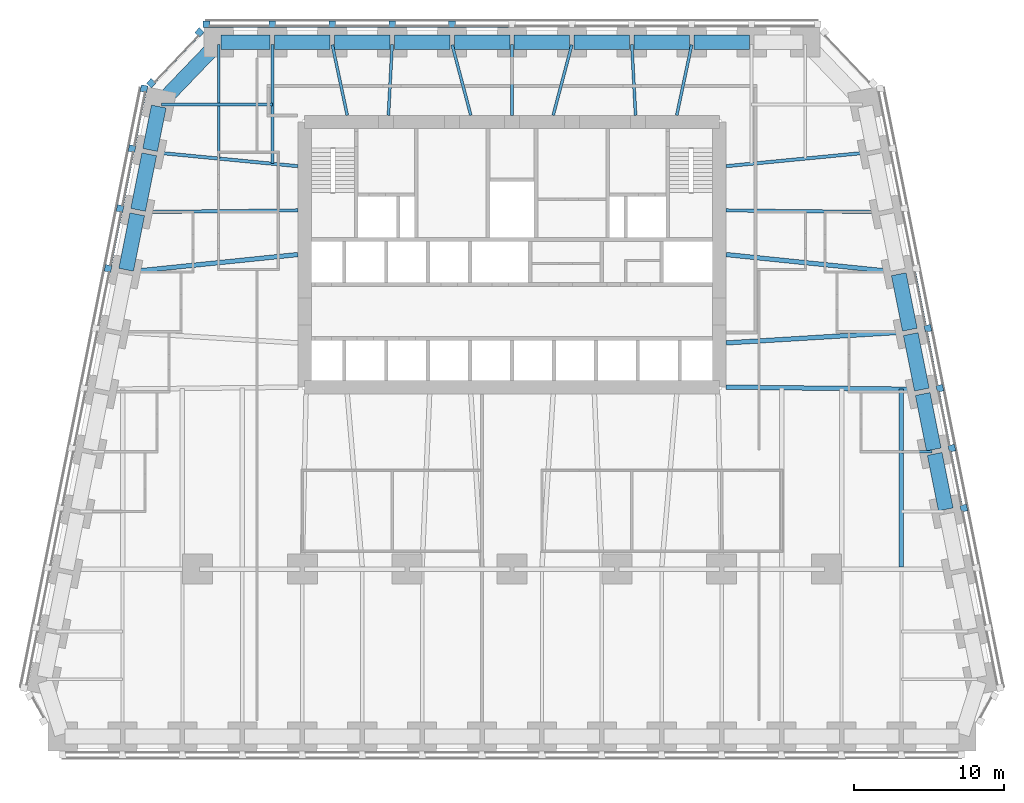
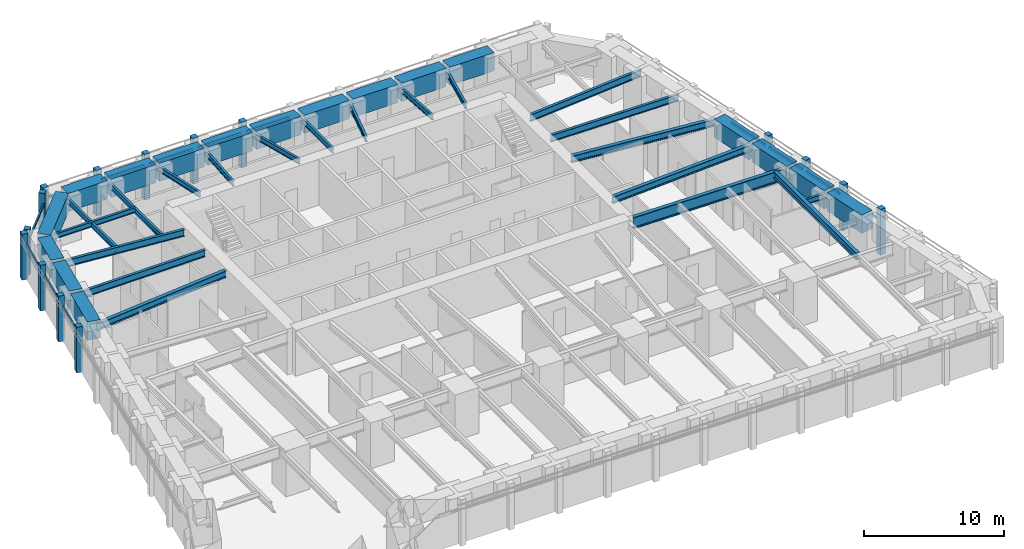
# One storey, part 3 of 10: 37 beams, 28 members, 4 elements without a shape of their own.
"""IFC4 building model written with IfcOpenShell, lengths in metres."""

import ifcopenshell
import ifcopenshell.guid

model = None  # the IFC model being written
_history = None  # IfcOwnerHistory: only IFC2X3 demands one
_inside = {}  # id of a spatial element -> (the spatial element, [elements in it])
_under = {}  # id of a project, library or spatial element -> (it, [spatial elements below it])
_declared = {}  # id of a project -> (the project, [libraries it declares])
_typed = {}  # id of a type object -> (the type object, [elements of that type])
_made_of = {}  # id of a material, layer set ... -> (it, [elements and type objects made of it])


def new_model(schema):
    """Start an empty IFC model of exactly this schema.

    Asked for "IFC4X3", IfcOpenShell would pick the latest addendum, in which some entities
    have other attributes; the version numbers below select the first issue.
    IFC2X3 requires an IfcOwnerHistory on every rooted entity: one is made here for all.
    """
    global model, _history
    if schema == "IFC4X3":
        model = ifcopenshell.file(schema_version=(4, 3, 0, 0))
    else:
        model = ifcopenshell.file(schema=schema)
    _inside.clear()
    _under.clear()
    _declared.clear()
    _typed.clear()
    _made_of.clear()
    _history = None
    if model.schema == "IFC2X3":
        org = make("IfcOrganization", Name="unknown")
        user = make(
            "IfcPersonAndOrganization",
            ThePerson=make("IfcPerson", FamilyName="unknown"),
            TheOrganization=org,
        )
        app = make(
            "IfcApplication",
            ApplicationDeveloper=org,
            Version="unknown",
            ApplicationFullName="unknown",
            ApplicationIdentifier="unknown",
        )
        _history = make(
            "IfcOwnerHistory",
            OwningUser=user,
            OwningApplication=app,
            ChangeAction="ADDED",
            CreationDate=0,
        )
    return model


def make(cls, **values):
    """One entity of the class cls with the attributes given. An attribute that is None is left unset."""
    return model.create_entity(
        cls, **{name: value for name, value in values.items() if value is not None}
    )


def rooted(cls, **values):
    """An entity with a GlobalId (a new one), such as an element, a storey or a relation."""
    return make(cls, GlobalId=ifcopenshell.guid.new(), OwnerHistory=_history, **values)


def si_unit(unit_type, name, prefix=None):
    """IfcSIUnit, for example si_unit("LENGTHUNIT", "METRE", prefix="MILLI")."""
    return make("IfcSIUnit", UnitType=unit_type, Prefix=prefix, Name=name)


def assignment(units):
    """IfcUnitAssignment: the units of a project."""
    return None if units is None else make("IfcUnitAssignment", Units=units)


def point(xyz):
    """IfcCartesianPoint."""
    return None if xyz is None else make("IfcCartesianPoint", Coordinates=xyz)


def direction(xyz):
    """IfcDirection."""
    return None if xyz is None else make("IfcDirection", DirectionRatios=xyz)


def frame(location, z_axis=None, x_axis=None):
    """IfcAxis2Placement3D, a coordinate frame: its origin and axes. An axis left out is left unset."""
    return make(
        "IfcAxis2Placement3D",
        Location=point(location),
        Axis=direction(z_axis),
        RefDirection=direction(x_axis),
    )


def frame_2d(location, x_axis=None):
    """IfcAxis2Placement2D, a coordinate frame in the plane: its origin and x axis."""
    return make(
        "IfcAxis2Placement2D", Location=point(location), RefDirection=direction(x_axis)
    )


def origin():
    """The frame at (0, 0, 0) with its axes left unset."""
    return frame((0.0, 0.0, 0.0))


def origin_2d():
    """The frame at (0, 0) in the plane with its x axis left unset."""
    return frame_2d((0.0, 0.0))


def place(relative_to, where):
    """IfcLocalPlacement: puts the frame where relative to a parent placement (None: the world)."""
    return make(
        "IfcLocalPlacement", PlacementRelTo=relative_to, RelativePlacement=where
    )


def context(
    kind, dimensions, precision=None, world=None, true_north=None, identifier=None
):
    """IfcGeometricRepresentationContext, for example the 3D "Model" context."""
    return make(
        "IfcGeometricRepresentationContext",
        ContextIdentifier=identifier,
        ContextType=kind,
        CoordinateSpaceDimension=dimensions,
        Precision=precision,
        WorldCoordinateSystem=world,
        TrueNorth=true_north,
    )


def subcontext(parent, identifier, kind, view, scale=None):
    """IfcGeometricRepresentationSubContext, for example "Body" below "Model"."""
    return make(
        "IfcGeometricRepresentationSubContext",
        ContextIdentifier=identifier,
        ContextType=kind,
        ParentContext=parent,
        TargetScale=scale,
        TargetView=view,
    )


def project(units=None, contexts=None):
    """IfcProject with its units and contexts."""
    return rooted(
        "IfcProject",
        Name="project",
        RepresentationContexts=contexts,
        UnitsInContext=assignment(units),
    )


def spatial(cls, under=None, at=None, **own):
    """A site, building, storey or space (cls), placed at a placement, below another one or the project."""
    s = rooted(cls, ObjectPlacement=at, **own)
    if under is not None:
        _under.setdefault(under.id(), (under, []))[1].append(s)
    return s


def profile(cls, at=None, kind="AREA", **sizes):
    """A parametric profile (cls). Its sizes go by their IFC names, for example OverallWidth=200.0."""
    return make(cls, ProfileType=kind, Position=at, **sizes)


def rectangle(**sizes):
    """IfcRectangleProfileDef."""
    return profile("IfcRectangleProfileDef", **sizes)


def i_section(**sizes):
    """IfcIShapeProfileDef."""
    return profile("IfcIShapeProfileDef", **sizes)


def extrude(swept, where, along, depth):
    """IfcExtrudedAreaSolid: the profile swept, set in the frame where, extruded along a direction by depth."""
    return make(
        "IfcExtrudedAreaSolid",
        SweptArea=swept,
        Position=where,
        ExtrudedDirection=direction(along),
        Depth=depth,
    )


def shape(context_of_items, identifier, shape_type, items):
    """IfcShapeRepresentation: the items that make up one representation, for example the "Body"."""
    return make(
        "IfcShapeRepresentation",
        ContextOfItems=context_of_items,
        RepresentationIdentifier=identifier,
        RepresentationType=shape_type,
        Items=items,
    )


def material(Name=None, Category=None):
    """IfcMaterial."""
    return make("IfcMaterial", Name=Name, Category=Category)


def material_profile(
    of_material, cross_section, Name=None, Category=None, Priority=None
):
    """IfcMaterialProfile: a cross section and its material."""
    return make(
        "IfcMaterialProfile",
        Name=Name,
        Material=of_material,
        Profile=cross_section,
        Priority=Priority,
        Category=Category,
    )


def profile_set(profiles, Name=None, composite=None):
    """IfcMaterialProfileSet."""
    return make(
        "IfcMaterialProfileSet",
        Name=Name,
        MaterialProfiles=profiles,
        CompositeProfile=composite,
    )


def made_of(thing, what):
    """Note that an element or type object is made of a material, layer set ...; save() writes the relation."""
    if what is not None:
        _made_of.setdefault(what.id(), (what, []))[1].append(thing)
    return thing


def type_object(cls, material=None, **own):
    """A type object (cls), such as IfcWallType, which elements share."""
    return made_of(rooted(cls, **own), material)


def element(
    cls,
    number,
    at=None,
    inside=None,
    cuts=None,
    type_object=None,
    material=None,
    context=None,
    identifier="Body",
    shape_type=None,
    held_by="IfcProductDefinitionShape",
    body=None,
    shapes=None,
    **own,
):
    """One element of the class cls, such as IfcWall. Its Tag is "e" and its number.

    at: its placement. inside: the storey or other place that contains it. cuts: it is an
    opening in that element (IfcRelVoidsElement). A single representation is given by context,
    identifier, shape_type and body (its items); several are given by shapes. held_by: the class
    of the entity that holds the representations. save() writes the other relations.
    """
    e = rooted(cls, Tag="e%d" % number, ObjectPlacement=at, **own)
    if body is not None:
        shapes = [shape(context, identifier, shape_type, body)]
    if shapes is not None:
        e.Representation = make(held_by, Representations=shapes)
    if inside is not None:
        _inside.setdefault(inside.id(), (inside, []))[1].append(e)
    if cuts is not None:
        rooted(
            "IfcRelVoidsElement", RelatingBuildingElement=cuts, RelatedOpeningElement=e
        )
    if type_object is not None:
        _typed.setdefault(type_object.id(), (type_object, []))[1].append(e)
    return made_of(e, material)


def aggregate(whole, parts):
    """IfcRelAggregates: a whole, such as a stair, and the parts it consists of."""
    return rooted("IfcRelAggregates", RelatingObject=whole, RelatedObjects=parts)


def save(model, path):
    """Write the relations noted so far, then the file.

    IfcRelAggregates (storeys below a building ...), IfcRelContainedInSpatialStructure (elements
    in a storey), IfcRelDefinesByType, IfcRelAssociatesMaterial and IfcRelDeclares: one each for
    every whole, place, type object, material and project.
    """
    for whole, parts in _under.values():
        aggregate(whole, parts)
    for where, things in _inside.values():
        rooted(
            "IfcRelContainedInSpatialStructure",
            RelatedElements=things,
            RelatingStructure=where,
        )
    for kind, things in _typed.values():
        rooted("IfcRelDefinesByType", RelatedObjects=things, RelatingType=kind)
    for what, things in _made_of.values():
        rooted("IfcRelAssociatesMaterial", RelatedObjects=things, RelatingMaterial=what)
    for by, libraries in _declared.values():
        rooted("IfcRelDeclares", RelatingContext=by, RelatedDefinitions=libraries)
    model.write(path)


model = new_model("IFC4")

# Units and contexts
model_context = context("Model", 3, precision=1e-05, world=origin(), true_north=direction((0.0, 1.0)))
body_context = subcontext(model_context, "Body", "Model", "MODEL_VIEW")
ifc_project = project(units=[si_unit("LENGTHUNIT", "METRE"), si_unit("AREAUNIT", "SQUARE_METRE"), si_unit("VOLUMEUNIT", "CUBIC_METRE"), si_unit("PLANEANGLEUNIT", "RADIAN"), si_unit("MASSUNIT", "GRAM", prefix="KILO")], contexts=[model_context])

# Site, building, storey
site_placement = place(None, origin())
site = spatial("IfcSite", under=ifc_project, at=site_placement, CompositionType="ELEMENT")
building_placement = place(site_placement, origin())
building = spatial("IfcBuilding", under=site, at=building_placement, Name="Isbrekke Arena Tower", CompositionType="ELEMENT")
storey_placement = place(building_placement, frame((0.0, 0.0, 60.0)))
storey = spatial("IfcBuildingStorey", under=building, at=storey_placement, Name="L12", CompositionType="ELEMENT", Elevation=60.0)

# Beams
ifc_material_1 = material(Name="Steel S355", Category="steel")
ifc_material_profile_1 = material_profile(ifc_material_1, i_section(OverallWidth=0.219970703125, OverallDepth=0.60009765625, WebThickness=0.011962890625, FlangeThickness=0.01904296875, FilletRadius=0.02392578125, at=origin_2d()), Name="IPE 600")
ifc_profile_set_1 = profile_set([ifc_material_profile_1], Name="Steel S355")
beam_type_1 = type_object("IfcBeamType", Name="B1 IPE 600", PredefinedType="BEAM", material=ifc_profile_set_1)
beam_1_placement = place(storey_placement, frame((24.83984375, 17.838134765625, 3.550048828125), z_axis=(-0.999943729589, 0.010608376645, 0.0), x_axis=(-0.010608376645, -0.999943729589, 0.0)))
element("IfcBeam", 1, at=beam_1_placement, inside=storey, type_object=beam_type_1, Name="B1 beam E-E09 L12", PredefinedType="BEAM", context=body_context, shape_type="SweptSolid", body=[
    extrude(i_section(OverallWidth=0.219970703125, OverallDepth=0.60009765625, WebThickness=0.011962890625, FlangeThickness=0.01904296875, FilletRadius=0.02392578125, at=origin_2d()), origin(), (0.0, 0.0, 1.0), 10.540283203125),
])
for number, where, z_axis, x_axis, name in (
    (2, (24.030517578125, 21.837158203125, 3.550048828125), (-0.995393091527, -0.095878012805, 0.0), (0.095878012805, -0.995393091527, 0.0), "B1 beam E-E10 L12"),
    (3, (-24.030517578125, 21.837158203125, 3.550048828125), (0.995393091527, -0.095878012805, 0.0), (0.095878012805, 0.995393091527, 0.0), "B1 beam E-W02 L12"),
):
    element("IfcBeam", number, at=place(storey_placement, frame(where, z_axis=z_axis, x_axis=x_axis)), inside=storey, type_object=beam_type_1, Name=name, PredefinedType="BEAM", context=body_context, shape_type="SweptSolid", body=[
        extrude(i_section(OverallWidth=0.219970703125, OverallDepth=0.60009765625, WebThickness=0.011962890625, FlangeThickness=0.01904296875, FilletRadius=0.02392578125, at=origin_2d()), origin(), (0.0, 0.0, 1.0), 9.775390625),
    ])
beam_2_placement = place(storey_placement, frame((-24.83984375, 17.838134765625, 3.550048828125), z_axis=(0.999943729589, 0.010608376645, 0.0), x_axis=(-0.010608376645, 0.999943729589, 0.0)))
element("IfcBeam", 4, at=beam_2_placement, inside=storey, type_object=beam_type_1, Name="B1 beam E-W03 L12", PredefinedType="BEAM", context=body_context, shape_type="SweptSolid", body=[
    extrude(i_section(OverallWidth=0.219970703125, OverallDepth=0.60009765625, WebThickness=0.011962890625, FlangeThickness=0.01904296875, FilletRadius=0.02392578125, at=origin_2d()), origin(), (0.0, 0.0, 1.0), 10.540283203125),
])
ifc_material_2 = material(Name="Steel S355", Category="steel")
ifc_material_profile_2 = material_profile(ifc_material_2, i_section(OverallWidth=0.18994140625, OverallDepth=0.449951171875, WebThickness=0.009521484375, FlangeThickness=0.0146484375, FilletRadius=0.02099609375, at=origin_2d()), Name="IPE 450")
ifc_profile_set_2 = profile_set([ifc_material_profile_2], Name="Steel S355")
beam_type_2 = type_object("IfcBeamType", Name="B2 IPE 450", PredefinedType="BEAM", material=ifc_profile_set_2)
beam_3_placement = place(storey_placement, frame((28.041015625, 1.838134765625, 3.625), z_axis=(-1.0, 0.0, 0.0), x_axis=(0.0, -1.0, 0.0)))
element("IfcBeam", 5, at=beam_3_placement, inside=storey, type_object=beam_type_2, Name="B2 beam E-E05 L12", PredefinedType="BEAM", context=body_context, shape_type="SweptSolid", body=[
    extrude(i_section(OverallWidth=0.18994140625, OverallDepth=0.449951171875, WebThickness=0.009521484375, FlangeThickness=0.0146484375, FilletRadius=0.02099609375, at=origin_2d()), origin(), (0.0, 0.0, 1.0), 2.041015625),
])
beam_4_placement = place(storey_placement, frame((-23.40283203125, 25.029296875, 3.625), z_axis=(1.0, 0.0, 0.0), x_axis=(0.0, 1.0, 0.0)))
element("IfcBeam", 6, at=beam_4_placement, inside=storey, type_object=beam_type_2, Name="B2 beam E-W01 L12", PredefinedType="BEAM", context=body_context, shape_type="SweptSolid", body=[
    extrude(i_section(OverallWidth=0.18994140625, OverallDepth=0.449951171875, WebThickness=0.009521484375, FlangeThickness=0.0146484375, FilletRadius=0.02099609375, at=origin_2d()), origin(), (0.0, 0.0, 1.0), 7.40283203125),
])
ifc_material_3 = material(Name="Steel S355", Category="steel")
ifc_material_profile_3 = material_profile(ifc_material_3, i_section(OverallWidth=0.18994140625, OverallDepth=0.449951171875, WebThickness=0.009521484375, FlangeThickness=0.0146484375, FilletRadius=0.02099609375, at=origin_2d()), Name="IPE 450")
ifc_profile_set_3 = profile_set([ifc_material_profile_3], Name="Steel S355")
beam_type_3 = type_object("IfcBeamType", Name="B3 IPE 450", PredefinedType="BEAM", material=ifc_profile_set_3)
beam_5_placement = place(storey_placement, frame((-16.0, 29.02490234375, 3.625), z_axis=(0.0, -1.0, 0.0), x_axis=(1.0, 0.0, 0.0)))
element("IfcBeam", 7, at=beam_5_placement, inside=storey, type_object=beam_type_3, Name="B3 beam N-N10 L12", PredefinedType="BEAM", context=body_context, shape_type="SweptSolid", body=[
    extrude(i_section(OverallWidth=0.18994140625, OverallDepth=0.449951171875, WebThickness=0.009521484375, FlangeThickness=0.0146484375, FilletRadius=0.02099609375, at=origin_2d()), origin(), (0.0, 0.0, 1.0), 7.961181640625),
])
beam_6_placement = place(storey_placement, frame((-19.574951171875, 29.02490234375, 3.625), z_axis=(0.0, -1.0, 0.0), x_axis=(1.0, 0.0, 0.0)))
element("IfcBeam", 8, at=beam_6_placement, inside=storey, type_object=beam_type_3, Name="B3 beam N-N11 L12", PredefinedType="BEAM", context=body_context, shape_type="SweptSolid", body=[
    extrude(i_section(OverallWidth=0.18994140625, OverallDepth=0.449951171875, WebThickness=0.009521484375, FlangeThickness=0.0146484375, FilletRadius=0.02099609375, at=origin_2d()), origin(), (0.0, 0.0, 1.0), 7.616943359375),
])
beam_7_placement = place(storey_placement, frame((11.995849609375, 29.005859375, 3.625), z_axis=(-0.207036135686, -0.978333296234, 0.0), x_axis=(0.978333296234, -0.207036135686, 0.0)))
element("IfcBeam", 9, at=beam_7_placement, inside=storey, type_object=beam_type_3, Name="B3 beam N-N03 L12", PredefinedType="BEAM", context=body_context, shape_type="SweptSolid", body=[
    extrude(i_section(OverallWidth=0.18994140625, OverallDepth=0.449951171875, WebThickness=0.009521484375, FlangeThickness=0.0146484375, FilletRadius=0.02099609375, at=origin_2d()), origin(), (0.0, 0.0, 1.0), 4.81005859375),
])
beam_8_placement = place(storey_placement, frame((8.000244140625, 29.02001953125, 3.625), z_axis=(0.05284078094, -0.998602950061, 0.0), x_axis=(0.998602950061, 0.05284078094, 0.0)))
element("IfcBeam", 10, at=beam_8_placement, inside=storey, type_object=beam_type_3, Name="B3 beam N-N04 L12", PredefinedType="BEAM", context=body_context, shape_type="SweptSolid", body=[
    extrude(i_section(OverallWidth=0.18994140625, OverallDepth=0.449951171875, WebThickness=0.009521484375, FlangeThickness=0.0146484375, FilletRadius=0.02099609375, at=origin_2d()), origin(), (0.0, 0.0, 1.0), 4.7265625),
])
beam_9_placement = place(storey_placement, frame((3.993896484375, 29.00146484375, 3.625), z_axis=(-0.255778031922, -0.966735536942, 0.0), x_axis=(0.966735536942, -0.255778031922, 0.0)))
element("IfcBeam", 11, at=beam_9_placement, inside=storey, type_object=beam_type_3, Name="B3 beam N-N05 L12", PredefinedType="BEAM", context=body_context, shape_type="SweptSolid", body=[
    extrude(i_section(OverallWidth=0.18994140625, OverallDepth=0.449951171875, WebThickness=0.009521484375, FlangeThickness=0.0146484375, FilletRadius=0.02099609375, at=origin_2d()), origin(), (0.0, 0.0, 1.0), 4.86328125),
])
beam_10_placement = place(storey_placement, frame((0.0, 29.02490234375, 3.625), z_axis=(0.0, -1.0, 0.0), x_axis=(1.0, 0.0, 0.0)))
element("IfcBeam", 12, at=beam_10_placement, inside=storey, type_object=beam_type_3, Name="B3 beam N-N06 L12", PredefinedType="BEAM", context=body_context, shape_type="SweptSolid", body=[
    extrude(i_section(OverallWidth=0.18994140625, OverallDepth=0.449951171875, WebThickness=0.009521484375, FlangeThickness=0.0146484375, FilletRadius=0.02099609375, at=origin_2d()), origin(), (0.0, 0.0, 1.0), 4.724853515625),
])
beam_11_placement = place(storey_placement, frame((-3.993896484375, 29.00146484375, 3.625), z_axis=(0.255778031922, -0.966735536942, 0.0), x_axis=(0.966735536942, 0.255778031922, 0.0)))
element("IfcBeam", 13, at=beam_11_placement, inside=storey, type_object=beam_type_3, Name="B3 beam N-N07 L12", PredefinedType="BEAM", context=body_context, shape_type="SweptSolid", body=[
    extrude(i_section(OverallWidth=0.18994140625, OverallDepth=0.449951171875, WebThickness=0.009521484375, FlangeThickness=0.0146484375, FilletRadius=0.02099609375, at=origin_2d()), origin(), (0.0, 0.0, 1.0), 4.86328125),
])
beam_12_placement = place(storey_placement, frame((-8.000244140625, 29.02001953125, 3.625), z_axis=(-0.05284078094, -0.998602950061, 0.0), x_axis=(0.998602950061, -0.05284078094, 0.0)))
element("IfcBeam", 14, at=beam_12_placement, inside=storey, type_object=beam_type_3, Name="B3 beam N-N08 L12", PredefinedType="BEAM", context=body_context, shape_type="SweptSolid", body=[
    extrude(i_section(OverallWidth=0.18994140625, OverallDepth=0.449951171875, WebThickness=0.009521484375, FlangeThickness=0.0146484375, FilletRadius=0.02099609375, at=origin_2d()), origin(), (0.0, 0.0, 1.0), 4.7265625),
])
beam_13_placement = place(storey_placement, frame((-11.995849609375, 29.005859375, 3.625), z_axis=(0.207036135686, -0.978333296234, 0.0), x_axis=(0.978333296234, 0.207036135686, 0.0)))
element("IfcBeam", 15, at=beam_13_placement, inside=storey, type_object=beam_type_3, Name="B3 beam N-N09 L12", PredefinedType="BEAM", context=body_context, shape_type="SweptSolid", body=[
    extrude(i_section(OverallWidth=0.18994140625, OverallDepth=0.449951171875, WebThickness=0.009521484375, FlangeThickness=0.0146484375, FilletRadius=0.02099609375, at=origin_2d()), origin(), (0.0, 0.0, 1.0), 4.81005859375),
])
ifc_material_4 = material(Name="Steel S355", Category="steel")
ifc_material_profile_4 = material_profile(ifc_material_4, i_section(OverallWidth=0.300048828125, OverallDepth=0.60009765625, WebThickness=0.015380859375, FlangeThickness=0.030029296875, FilletRadius=0.027099609375, at=origin_2d()), Name="HEB 600")
ifc_profile_set_4 = profile_set([ifc_material_profile_4], Name="Steel S355")
beam_type_4 = type_object("IfcBeamType", Name="B7 HEB 600", PredefinedType="BEAM", material=ifc_profile_set_4)
beam_14_placement = place(storey_placement, frame((26.0, -5.84912109375, 3.550048828125), z_axis=(0.0, 1.0, 0.0), x_axis=(-1.0, 0.0, 0.0)))
element("IfcBeam", 16, at=beam_14_placement, inside=storey, type_object=beam_type_4, Name="B7 beam C-M14 L12", PredefinedType="BEAM", context=body_context, shape_type="SweptSolid", body=[
    extrude(i_section(OverallWidth=0.300048828125, OverallDepth=0.60009765625, WebThickness=0.015380859375, FlangeThickness=0.030029296875, FilletRadius=0.027099609375, at=origin_2d()), origin(), (0.0, 0.0, 1.0), 11.864990234375),
])
beam_15_placement = place(storey_placement, frame((26.431884765625, 9.837646484375, 3.550048828125), z_axis=(-0.998157121592, -0.060682457223, 0.0), x_axis=(0.060682457223, -0.998157121592, 0.0)))
element("IfcBeam", 17, at=beam_15_placement, inside=storey, type_object=beam_type_4, Name="B7 beam E-E07 L12", PredefinedType="BEAM", context=body_context, shape_type="SweptSolid", body=[
    extrude(i_section(OverallWidth=0.300048828125, OverallDepth=0.60009765625, WebThickness=0.015380859375, FlangeThickness=0.030029296875, FilletRadius=0.027099609375, at=origin_2d()), origin(), (0.0, 0.0, 1.0), 12.154296875),
])
for number, where, z_axis, x_axis, name in (
    (18, (25.625732421875, 13.83984375, 3.550048828125), (-0.994794378016, 0.101902627384, 0.0), (-0.101902627384, -0.994794378016, 0.0), "B7 beam E-E08 L12"),
    (19, (-25.625732421875, 13.83984375, 3.550048828125), (0.994794378016, 0.101902627384, 0.0), (-0.101902627384, 0.994794378016, 0.0), "B7 beam E-W04 L12"),
):
    element("IfcBeam", number, at=place(storey_placement, frame(where, z_axis=z_axis, x_axis=x_axis)), inside=storey, type_object=beam_type_4, Name=name, PredefinedType="BEAM", context=body_context, shape_type="SweptSolid", body=[
        extrude(i_section(OverallWidth=0.300048828125, OverallDepth=0.60009765625, WebThickness=0.015380859375, FlangeThickness=0.030029296875, FilletRadius=0.027099609375, at=origin_2d()), origin(), (0.0, 0.0, 1.0), 11.385009765625),
    ])

# Curtain wall, members
ifc_material_5 = material(Name="Glazed aluminium curtain wall", Category="aluminium")
curtain_wall_type = type_object("IfcCurtainWallType", Name="CWL TOWER CURTAIN WALL LOW ZONE", PredefinedType="USERDEFINED", material=ifc_material_5)
curtain_wall_1_placement = place(storey_placement, origin())
curtain_wall_1 = element("IfcCurtainWall", 20, at=curtain_wall_1_placement, inside=storey, type_object=curtain_wall_type, Name="CWL curtain wall L12-E", ObjectType="TOWER CURTAIN WALL LOW ZONE", PredefinedType="USERDEFINED")
ifc_material_6 = material(Name="Aluminium mullion, pale brick slip cladding", Category="masonry")
ifc_material_profile_5 = material_profile(ifc_material_6, rectangle(XDim=0.449951171875, YDim=0.449951171875, at=origin_2d()), Name="PIER 450X450")
ifc_profile_set_5 = profile_set([ifc_material_profile_5], Name="Aluminium mullion, pale brick slip cladding")
member_type_1 = type_object("IfcMemberType", Name="CWL-M PIER MULLION 450 x 450", PredefinedType="MULLION", material=ifc_profile_set_5)
member_1_placement = place(storey_placement, frame((30.167724609375, -1.926513671875, 0.0), z_axis=(0.0, 0.0, 1.0), x_axis=(-0.196116135138, 0.980580675691, 0.0)))
member_1 = element("IfcMember", 21, at=member_1_placement, type_object=member_type_1, Name="CWL-M mullion 4", PredefinedType="MULLION", context=body_context, shape_type="SweptSolid", body=[
    extrude(rectangle(XDim=0.449951171875, YDim=0.449951171875, at=origin_2d()), origin(), (0.0, 0.0, 1.0), 4.0),
])
member_2_placement = place(storey_placement, frame((29.36767578125, 2.073486328125, 0.0), z_axis=(0.0, 0.0, 1.0), x_axis=(-0.196116135138, 0.980580675691, 0.0)))
member_2 = element("IfcMember", 22, at=member_2_placement, type_object=member_type_1, Name="CWL-M mullion 5", PredefinedType="MULLION", context=body_context, shape_type="SweptSolid", body=[
    extrude(rectangle(XDim=0.449951171875, YDim=0.449951171875, at=origin_2d()), origin(), (0.0, 0.0, 1.0), 4.0),
])
member_3_placement = place(storey_placement, frame((28.567626953125, 6.073486328125, 0.0), z_axis=(0.0, 0.0, 1.0), x_axis=(-0.196116135138, 0.980580675691, 0.0)))
member_3 = element("IfcMember", 23, at=member_3_placement, type_object=member_type_1, Name="CWL-M mullion 6", PredefinedType="MULLION", context=body_context, shape_type="SweptSolid", body=[
    extrude(rectangle(XDim=0.449951171875, YDim=0.449951171875, at=origin_2d()), origin(), (0.0, 0.0, 1.0), 4.0),
])
member_4_placement = place(storey_placement, frame((27.767822265625, 10.073486328125, 0.0), z_axis=(0.0, 0.0, 1.0), x_axis=(-0.196116135138, 0.980580675691, 0.0)))
member_4 = element("IfcMember", 24, at=member_4_placement, type_object=member_type_1, Name="CWL-M mullion 7", PredefinedType="MULLION", context=body_context, shape_type="SweptSolid", body=[
    extrude(rectangle(XDim=0.449951171875, YDim=0.449951171875, at=origin_2d()), origin(), (0.0, 0.0, 1.0), 4.0),
])

curtain_wall_2_placement = place(storey_placement, origin())
curtain_wall_2 = element("IfcCurtainWall", 25, at=curtain_wall_2_placement, inside=storey, type_object=curtain_wall_type, Name="CWL curtain wall L12-N", ObjectType="TOWER CURTAIN WALL LOW ZONE", PredefinedType="USERDEFINED")
member_5_placement = place(storey_placement, frame((-4.0, 30.375, 0.0), z_axis=(0.0, 0.0, 1.0), x_axis=(-1.0, 0.0, 0.0)))
member_5 = element("IfcMember", 26, at=member_5_placement, type_object=member_type_1, Name="CWL-M mullion 7", PredefinedType="MULLION", context=body_context, shape_type="SweptSolid", body=[
    extrude(rectangle(XDim=0.449951171875, YDim=0.449951171875, at=origin_2d()), origin(), (0.0, 0.0, 1.0), 4.0),
])
member_6_placement = place(storey_placement, frame((-8.0, 30.375, 0.0), z_axis=(0.0, 0.0, 1.0), x_axis=(-1.0, 0.0, 0.0)))
member_6 = element("IfcMember", 27, at=member_6_placement, type_object=member_type_1, Name="CWL-M mullion 8", PredefinedType="MULLION", context=body_context, shape_type="SweptSolid", body=[
    extrude(rectangle(XDim=0.449951171875, YDim=0.449951171875, at=origin_2d()), origin(), (0.0, 0.0, 1.0), 4.0),
])
member_7_placement = place(storey_placement, frame((-12.0, 30.375, 0.0), z_axis=(0.0, 0.0, 1.0), x_axis=(-1.0, 0.0, 0.0)))
member_7 = element("IfcMember", 28, at=member_7_placement, type_object=member_type_1, Name="CWL-M mullion 9", PredefinedType="MULLION", context=body_context, shape_type="SweptSolid", body=[
    extrude(rectangle(XDim=0.449951171875, YDim=0.449951171875, at=origin_2d()), origin(), (0.0, 0.0, 1.0), 4.0),
])
member_8_placement = place(storey_placement, frame((-16.0, 30.375, 0.0), z_axis=(0.0, 0.0, 1.0), x_axis=(-1.0, 0.0, 0.0)))
member_8 = element("IfcMember", 29, at=member_8_placement, type_object=member_type_1, Name="CWL-M mullion 10", PredefinedType="MULLION", context=body_context, shape_type="SweptSolid", body=[
    extrude(rectangle(XDim=0.449951171875, YDim=0.449951171875, at=origin_2d()), origin(), (0.0, 0.0, 1.0), 4.0),
])
member_9_placement = place(storey_placement, frame((-20.39990234375, 30.375, 0.0), z_axis=(0.0, 0.0, 1.0), x_axis=(-1.0, 0.0, 0.0)))
member_9 = element("IfcMember", 30, at=member_9_placement, type_object=member_type_1, Name="CWL-M mullion 11", PredefinedType="MULLION", context=body_context, shape_type="SweptSolid", body=[
    extrude(rectangle(XDim=0.449951171875, YDim=0.449951171875, at=origin_2d()), origin(), (0.0, 0.0, 1.0), 4.0),
])

curtain_wall_3_placement = place(storey_placement, origin())
curtain_wall_3 = element("IfcCurtainWall", 31, at=curtain_wall_3_placement, inside=storey, type_object=curtain_wall_type, Name="CWL curtain wall L12-NW", ObjectType="TOWER CURTAIN WALL LOW ZONE", PredefinedType="USERDEFINED")
member_10_placement = place(storey_placement, frame((-20.86572265625, 29.83642578125, 0.0), z_axis=(0.0, 0.0, 1.0), x_axis=(-0.68874946192, -0.72499943359, 0.0)))
member_10 = element("IfcMember", 32, at=member_10_placement, type_object=member_type_1, Name="CWL-M mullion 1", PredefinedType="MULLION", context=body_context, shape_type="SweptSolid", body=[
    extrude(rectangle(XDim=0.449951171875, YDim=0.449951171875, at=origin_2d()), origin(), (0.0, 0.0, 1.0), 4.0),
])
member_11_placement = place(storey_placement, frame((-24.087890625, 26.44482421875, 0.0), z_axis=(0.0, 0.0, 1.0), x_axis=(-0.68874946192, -0.72499943359, 0.0)))
member_11 = element("IfcMember", 33, at=member_11_placement, type_object=member_type_1, Name="CWL-M mullion 2", PredefinedType="MULLION", context=body_context, shape_type="SweptSolid", body=[
    extrude(rectangle(XDim=0.449951171875, YDim=0.449951171875, at=origin_2d()), origin(), (0.0, 0.0, 1.0), 4.0),
])

curtain_wall_4_placement = place(storey_placement, origin())
curtain_wall_4 = element("IfcCurtainWall", 34, at=curtain_wall_4_placement, inside=storey, type_object=curtain_wall_type, Name="CWL curtain wall L12-W", ObjectType="TOWER CURTAIN WALL LOW ZONE", PredefinedType="USERDEFINED")
member_12_placement = place(storey_placement, frame((-24.567626953125, 26.073486328125, 0.0), z_axis=(0.0, 0.0, 1.0), x_axis=(-0.196116135138, -0.980580675691, 0.0)))
member_12 = element("IfcMember", 35, at=member_12_placement, type_object=member_type_1, Name="CWL-M mullion 1", PredefinedType="MULLION", context=body_context, shape_type="SweptSolid", body=[
    extrude(rectangle(XDim=0.449951171875, YDim=0.449951171875, at=origin_2d()), origin(), (0.0, 0.0, 1.0), 4.0),
])
member_13_placement = place(storey_placement, frame((-25.36767578125, 22.073486328125, 0.0), z_axis=(0.0, 0.0, 1.0), x_axis=(-0.196116135138, -0.980580675691, 0.0)))
member_13 = element("IfcMember", 36, at=member_13_placement, type_object=member_type_1, Name="CWL-M mullion 2", PredefinedType="MULLION", context=body_context, shape_type="SweptSolid", body=[
    extrude(rectangle(XDim=0.449951171875, YDim=0.449951171875, at=origin_2d()), origin(), (0.0, 0.0, 1.0), 4.0),
])
member_14_placement = place(storey_placement, frame((-26.167724609375, 18.073486328125, 0.0), z_axis=(0.0, 0.0, 1.0), x_axis=(-0.196116135138, -0.980580675691, 0.0)))
member_14 = element("IfcMember", 37, at=member_14_placement, type_object=member_type_1, Name="CWL-M mullion 3", PredefinedType="MULLION", context=body_context, shape_type="SweptSolid", body=[
    extrude(rectangle(XDim=0.449951171875, YDim=0.449951171875, at=origin_2d()), origin(), (0.0, 0.0, 1.0), 4.0),
])
member_15_placement = place(storey_placement, frame((-26.9677734375, 14.073486328125, 0.0), z_axis=(0.0, 0.0, 1.0), x_axis=(-0.196116135138, -0.980580675691, 0.0)))
member_15 = element("IfcMember", 38, at=member_15_placement, type_object=member_type_1, Name="CWL-M mullion 4", PredefinedType="MULLION", context=body_context, shape_type="SweptSolid", body=[
    extrude(rectangle(XDim=0.449951171875, YDim=0.449951171875, at=origin_2d()), origin(), (0.0, 0.0, 1.0), 4.0),
])

# Member
ifc_material_7 = material(Name="Aluminium transom", Category="aluminium")
ifc_material_profile_6 = material_profile(ifc_material_7, rectangle(XDim=0.1201171875, YDim=0.199951171875, at=origin_2d()), Name="TRANSOM 120X200")
ifc_profile_set_6 = profile_set([ifc_material_profile_6], Name="Aluminium transom")
member_type_2 = type_object("IfcMemberType", Name="CWL-T TRANSOM 120 x 200", PredefinedType="USERDEFINED", material=ifc_profile_set_6)
member_16_placement = place(storey_placement, frame((30.0009765625, -1.730224609375, 3.0), z_axis=(-0.196103197847, 0.98058326306, 0.0), x_axis=(-0.98058326306, -0.196103197847, 0.0)))
member_16 = element("IfcMember", 39, at=member_16_placement, type_object=member_type_2, Name="CWL-T transom 4", ObjectType="TRANSOM", PredefinedType="USERDEFINED", context=body_context, shape_type="SweptSolid", body=[
    extrude(rectangle(XDim=0.1201171875, YDim=0.199951171875, at=origin_2d()), origin(), (0.0, 0.0, 1.0), 3.629150390625),
])

member_17_placement = place(storey_placement, frame((29.200927734375, 2.269775390625, 3.0), z_axis=(-0.196103197847, 0.98058326306, 0.0), x_axis=(-0.98058326306, -0.196103197847, 0.0)))
member_17 = element("IfcMember", 40, at=member_17_placement, type_object=member_type_2, Name="CWL-T transom 5", ObjectType="TRANSOM", PredefinedType="USERDEFINED", context=body_context, shape_type="SweptSolid", body=[
    extrude(rectangle(XDim=0.1201171875, YDim=0.199951171875, at=origin_2d()), origin(), (0.0, 0.0, 1.0), 3.629150390625),
])

member_18_placement = place(storey_placement, frame((28.401123046875, 6.269775390625, 3.0), z_axis=(-0.196167883278, 0.980570324643, 0.0), x_axis=(-0.980570324643, -0.196167883278, 0.0)))
member_18 = element("IfcMember", 41, at=member_18_placement, type_object=member_type_2, Name="CWL-T transom 6", ObjectType="TRANSOM", PredefinedType="USERDEFINED", context=body_context, shape_type="SweptSolid", body=[
    extrude(rectangle(XDim=0.1201171875, YDim=0.199951171875, at=origin_2d()), origin(), (0.0, 0.0, 1.0), 3.629150390625),
])

member_19_placement = place(storey_placement, frame((27.60107421875, 10.269775390625, 3.0), z_axis=(-0.196167883278, 0.980570324643, 0.0), x_axis=(-0.980570324643, -0.196167883278, 0.0)))
member_19 = element("IfcMember", 42, at=member_19_placement, type_object=member_type_2, Name="CWL-T transom 7", ObjectType="TRANSOM", PredefinedType="USERDEFINED", context=body_context, shape_type="SweptSolid", body=[
    extrude(rectangle(XDim=0.1201171875, YDim=0.199951171875, at=origin_2d()), origin(), (0.0, 0.0, 1.0), 3.629150390625),
])

aggregate(curtain_wall_1, [member_1, member_2, member_3, member_4, member_16, member_17, member_18, member_19])

member_20_placement = place(storey_placement, frame((-0.22509765625, 30.25, 3.0), z_axis=(-1.0, 0.0, 0.0), x_axis=(0.0, -1.0, 0.0)))
member_20 = element("IfcMember", 43, at=member_20_placement, type_object=member_type_2, Name="CWL-T transom 6", ObjectType="TRANSOM", PredefinedType="USERDEFINED", context=body_context, shape_type="SweptSolid", body=[
    extrude(rectangle(XDim=0.1201171875, YDim=0.199951171875, at=origin_2d()), origin(), (0.0, 0.0, 1.0), 3.5498046875),
])

member_21_placement = place(storey_placement, frame((-4.22509765625, 30.25, 3.0), z_axis=(-1.0, 0.0, 0.0), x_axis=(0.0, -1.0, 0.0)))
member_21 = element("IfcMember", 44, at=member_21_placement, type_object=member_type_2, Name="CWL-T transom 7", ObjectType="TRANSOM", PredefinedType="USERDEFINED", context=body_context, shape_type="SweptSolid", body=[
    extrude(rectangle(XDim=0.1201171875, YDim=0.199951171875, at=origin_2d()), origin(), (0.0, 0.0, 1.0), 3.5498046875),
])

member_22_placement = place(storey_placement, frame((-8.22509765625, 30.25, 3.0), z_axis=(-1.0, 0.0, 0.0), x_axis=(0.0, -1.0, 0.0)))
member_22 = element("IfcMember", 45, at=member_22_placement, type_object=member_type_2, Name="CWL-T transom 8", ObjectType="TRANSOM", PredefinedType="USERDEFINED", context=body_context, shape_type="SweptSolid", body=[
    extrude(rectangle(XDim=0.1201171875, YDim=0.199951171875, at=origin_2d()), origin(), (0.0, 0.0, 1.0), 3.5498046875),
])

member_23_placement = place(storey_placement, frame((-12.22509765625, 30.25, 3.0), z_axis=(-1.0, 0.0, 0.0), x_axis=(0.0, -1.0, 0.0)))
member_23 = element("IfcMember", 46, at=member_23_placement, type_object=member_type_2, Name="CWL-T transom 9", ObjectType="TRANSOM", PredefinedType="USERDEFINED", context=body_context, shape_type="SweptSolid", body=[
    extrude(rectangle(XDim=0.1201171875, YDim=0.199951171875, at=origin_2d()), origin(), (0.0, 0.0, 1.0), 3.5498046875),
])

member_24_placement = place(storey_placement, frame((-16.22509765625, 30.25, 3.0), z_axis=(-1.0, 0.0, 0.0), x_axis=(0.0, -1.0, 0.0)))
member_24 = element("IfcMember", 47, at=member_24_placement, type_object=member_type_2, Name="CWL-T transom 10", ObjectType="TRANSOM", PredefinedType="USERDEFINED", context=body_context, shape_type="SweptSolid", body=[
    extrude(rectangle(XDim=0.1201171875, YDim=0.199951171875, at=origin_2d()), origin(), (0.0, 0.0, 1.0), 3.949951171875),
])

aggregate(curtain_wall_2, [member_5, member_6, member_7, member_8, member_9, member_20, member_21, member_22, member_23, member_24])

member_25_placement = place(storey_placement, frame((-20.93017578125, 29.587158203125, 3.0), z_axis=(-0.6887433918, -0.725005200155, 0.0), x_axis=(0.725005200155, -0.6887433918, 0.0)))
member_25 = element("IfcMember", 48, at=member_25_placement, type_object=member_type_2, Name="CWL-T transom 1", ObjectType="TRANSOM", PredefinedType="USERDEFINED", context=body_context, shape_type="SweptSolid", body=[
    extrude(rectangle(XDim=0.1201171875, YDim=0.199951171875, at=origin_2d()), origin(), (0.0, 0.0, 1.0), 4.22802734375),
])

aggregate(curtain_wall_3, [member_10, member_11, member_25])

member_26_placement = place(storey_placement, frame((-24.4892578125, 25.828369140625, 3.0), z_axis=(-0.196103197847, -0.98058326306, 0.0), x_axis=(0.98058326306, -0.196103197847, 0.0)))
member_26 = element("IfcMember", 49, at=member_26_placement, type_object=member_type_2, Name="CWL-T transom 1", ObjectType="TRANSOM", PredefinedType="USERDEFINED", context=body_context, shape_type="SweptSolid", body=[
    extrude(rectangle(XDim=0.1201171875, YDim=0.199951171875, at=origin_2d()), origin(), (0.0, 0.0, 1.0), 3.629150390625),
])

member_27_placement = place(storey_placement, frame((-25.289306640625, 21.828369140625, 3.0), z_axis=(-0.196103197847, -0.98058326306, 0.0), x_axis=(0.98058326306, -0.196103197847, 0.0)))
member_27 = element("IfcMember", 50, at=member_27_placement, type_object=member_type_2, Name="CWL-T transom 2", ObjectType="TRANSOM", PredefinedType="USERDEFINED", context=body_context, shape_type="SweptSolid", body=[
    extrude(rectangle(XDim=0.1201171875, YDim=0.199951171875, at=origin_2d()), origin(), (0.0, 0.0, 1.0), 3.629150390625),
])

member_28_placement = place(storey_placement, frame((-26.08935546875, 17.828369140625, 3.0), z_axis=(-0.196103197847, -0.98058326306, 0.0), x_axis=(0.98058326306, -0.196103197847, 0.0)))
member_28 = element("IfcMember", 51, at=member_28_placement, type_object=member_type_2, Name="CWL-T transom 3", ObjectType="TRANSOM", PredefinedType="USERDEFINED", context=body_context, shape_type="SweptSolid", body=[
    extrude(rectangle(XDim=0.1201171875, YDim=0.199951171875, at=origin_2d()), origin(), (0.0, 0.0, 1.0), 3.629150390625),
])

aggregate(curtain_wall_4, [member_12, member_13, member_14, member_15, member_26, member_27, member_28])

# Beams
ifc_material_8 = material(Name="Steel S355", Category="steel")
ifc_material_profile_7 = material_profile(ifc_material_8, i_section(OverallWidth=0.302001953125, OverallDepth=1.008056640625, WebThickness=0.02099609375, FlangeThickness=0.0400390625, FilletRadius=0.030029296875, at=origin_2d()), Name="HEM 1000")
ifc_profile_set_7 = profile_set([ifc_material_profile_7], Name="Steel S355")
beam_type_5 = type_object("IfcBeamType", Name="G2 HEM 1000", PredefinedType="BEAM", material=ifc_profile_set_7)
beam_16_placement = place(storey_placement, frame((14.300048828125, 6.14990234375, 3.345947265625), z_axis=(0.999934429634, -0.011451481699, 0.0), x_axis=(0.011451481699, 0.999934429634, 0.0)))
element("IfcBeam", 52, at=beam_16_placement, inside=storey, type_object=beam_type_5, Name="G2 beam G2-E L12", PredefinedType="BEAM", context=body_context, shape_type="SweptSolid", body=[
    extrude(i_section(OverallWidth=0.302001953125, OverallDepth=1.008056640625, WebThickness=0.02099609375, FlangeThickness=0.0400390625, FilletRadius=0.030029296875, at=origin_2d()), origin(), (0.0, 0.0, 1.0), 13.09033203125),
])
ifc_material_9 = material(Name="Concrete B90 (C90/105)", Category="concrete")
ifc_material_profile_8 = material_profile(ifc_material_9, rectangle(XDim=1.0, YDim=1.60009765625, at=origin_2d()), Name="RC 1000x1600")
ifc_profile_set_8 = profile_set([ifc_material_profile_8], Name="Concrete B90 (C90/105)")
beam_type_6 = type_object("IfcBeamType", Name="SB1 RC 1000 x 1600", PredefinedType="SPANDREL", material=ifc_profile_set_8)
for number, where, z_axis, x_axis, name in (
    (53, (28.961669921875, -2.0146484375, 3.199951171875), (-0.196128558387, 0.980578190959, 0.0), (-0.980578190959, -0.196128558387, 0.0), "SB1 spandrel E04-E05 L12"),
    (54, (28.16162109375, 1.9853515625, 3.199951171875), (-0.196128558387, 0.980578190959, 0.0), (-0.980578190959, -0.196128558387, 0.0), "SB1 spandrel E05-E06 L12"),
    (55, (27.361572265625, 5.9853515625, 3.199951171875), (-0.196128558387, 0.980578190959, 0.0), (-0.980578190959, -0.196128558387, 0.0), "SB1 spandrel E06-E07 L12"),
):
    element("IfcBeam", number, at=place(storey_placement, frame(where, z_axis=z_axis, x_axis=x_axis)), inside=storey, type_object=beam_type_6, Name=name, PredefinedType="SPANDREL", context=body_context, shape_type="SweptSolid", body=[
        extrude(rectangle(XDim=1.0, YDim=1.60009765625, at=origin_2d()), origin(), (0.0, 0.0, 1.0), 3.779296875),
    ])
beam_17_placement = place(storey_placement, frame((26.5615234375, 9.9853515625, 3.199951171875), z_axis=(-0.1960664412, 0.980590613169, 0.0), x_axis=(-0.980590613169, -0.1960664412, 0.0)))
element("IfcBeam", 56, at=beam_17_placement, inside=storey, type_object=beam_type_6, Name="SB1 spandrel E07-E08 L12", PredefinedType="SPANDREL", context=body_context, shape_type="SweptSolid", body=[
    extrude(rectangle(XDim=1.0, YDim=1.60009765625, at=origin_2d()), origin(), (0.0, 0.0, 1.0), 3.779052734375),
])
for number, where, z_axis, x_axis, name in (
    (57, (15.85009765625, 29.175048828125, 3.199951171875), (-1.0, 0.0, 0.0), (0.0, -1.0, 0.0), "SB1 spandrel N02-N03 L12"),
    (58, (11.85009765625, 29.175048828125, 3.199951171875), (-1.0, 0.0, 0.0), (0.0, -1.0, 0.0), "SB1 spandrel N03-N04 L12"),
    (59, (7.85009765625, 29.175048828125, 3.199951171875), (-1.0, 0.0, 0.0), (0.0, -1.0, 0.0), "SB1 spandrel N04-N05 L12"),
    (60, (3.85009765625, 29.175048828125, 3.199951171875), (-1.0, 0.0, 0.0), (0.0, -1.0, 0.0), "SB1 spandrel N05-N06 L12"),
    (61, (-0.14990234375, 29.175048828125, 3.199951171875), (-1.0, 0.0, 0.0), (0.0, -1.0, 0.0), "SB1 spandrel N06-N07 L12"),
    (62, (-4.14990234375, 29.175048828125, 3.199951171875), (-1.0, 0.0, 0.0), (0.0, -1.0, 0.0), "SB1 spandrel N07-N08 L12"),
    (63, (-8.14990234375, 29.175048828125, 3.199951171875), (-1.0, 0.0, 0.0), (0.0, -1.0, 0.0), "SB1 spandrel N08-N09 L12"),
    (64, (-12.14990234375, 29.175048828125, 3.199951171875), (-1.0, 0.0, 0.0), (0.0, -1.0, 0.0), "SB1 spandrel N09-N10 L12"),
):
    element("IfcBeam", number, at=place(storey_placement, frame(where, z_axis=z_axis, x_axis=x_axis)), inside=storey, type_object=beam_type_6, Name=name, PredefinedType="SPANDREL", context=body_context, shape_type="SweptSolid", body=[
        extrude(rectangle(XDim=1.0, YDim=1.60009765625, at=origin_2d()), origin(), (0.0, 0.0, 1.0), 3.7001953125),
    ])
beam_18_placement = place(storey_placement, frame((-16.14990234375, 29.175048828125, 3.199951171875), z_axis=(-1.0, 0.0, 0.0), x_axis=(0.0, -1.0, 0.0)))
element("IfcBeam", 65, at=beam_18_placement, inside=storey, type_object=beam_type_6, Name="SB1 spandrel N10-N11 L12", PredefinedType="SPANDREL", context=body_context, shape_type="SweptSolid", body=[
    extrude(rectangle(XDim=1.0, YDim=1.60009765625, at=origin_2d()), origin(), (0.0, 0.0, 1.0), 3.275146484375),
])
beam_19_placement = place(storey_placement, frame((-19.678955078125, 29.066650390625, 3.199951171875), z_axis=(-0.692339547635, -0.721571861134, 0.0), x_axis=(0.721571861134, -0.692339547635, 0.0)))
element("IfcBeam", 66, at=beam_19_placement, inside=storey, type_object=beam_type_6, Name="SB1 spandrel N11-W01 L12", PredefinedType="SPANDREL", context=body_context, shape_type="SweptSolid", body=[
    extrude(rectangle(XDim=1.0, YDim=1.60009765625, at=origin_2d()), origin(), (0.0, 0.0, 1.0), 5.4453125),
])
beam_20_placement = place(storey_placement, frame((-23.582275390625, 24.882080078125, 3.199951171875), z_axis=(-0.196116135138, -0.980580675691, 0.0), x_axis=(0.980580675691, -0.196116135138, 0.0)))
element("IfcBeam", 67, at=beam_20_placement, inside=storey, type_object=beam_type_6, Name="SB1 spandrel W01-W02 L12", PredefinedType="SPANDREL", context=body_context, shape_type="SweptSolid", body=[
    extrude(rectangle(XDim=1.0, YDim=1.60009765625, at=origin_2d()), origin(), (0.0, 0.0, 1.0), 2.9541015625),
])
for number, where, z_axis, x_axis, name in (
    (68, (-24.220458984375, 21.691162109375, 3.199951171875), (-0.196128558387, -0.980578190959, 0.0), (0.980578190959, -0.196128558387, 0.0), "SB1 spandrel W02-W03 L12"),
    (69, (-25.0205078125, 17.691162109375, 3.199951171875), (-0.196128558387, -0.980578190959, 0.0), (0.980578190959, -0.196128558387, 0.0), "SB1 spandrel W03-W04 L12"),
):
    element("IfcBeam", number, at=place(storey_placement, frame(where, z_axis=z_axis, x_axis=x_axis)), inside=storey, type_object=beam_type_6, Name=name, PredefinedType="SPANDREL", context=body_context, shape_type="SweptSolid", body=[
        extrude(rectangle(XDim=1.0, YDim=1.60009765625, at=origin_2d()), origin(), (0.0, 0.0, 1.0), 3.779296875),
    ])

save(model, "model.ifc")
